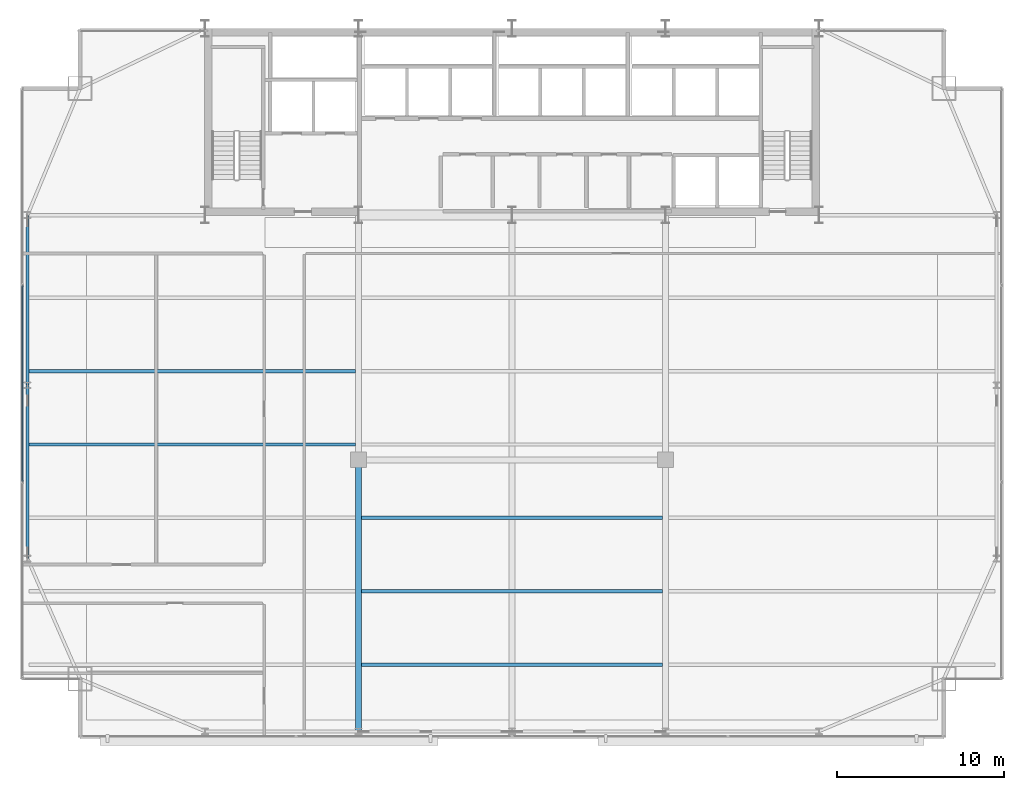
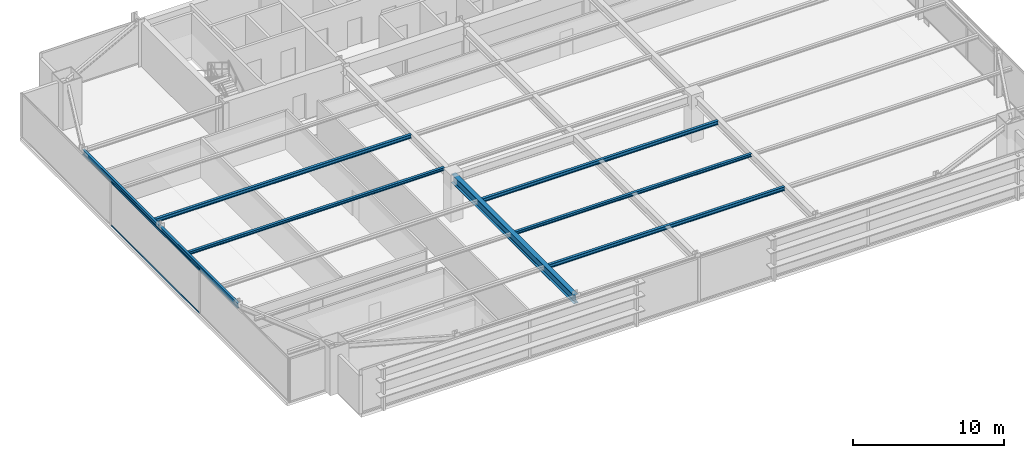
# One storey, part 9 of 32: 8 beams, 2 members, 1 element without a shape of its own.
"""IFC4 building model written with IfcOpenShell, lengths in metres."""

from ifc_helpers import new_model, si_unit, direction, frame, origin, origin_2d, place, context, subcontext, project, spatial, hollow_rectangle, i_section, extrude, source, transform, mapped, material, layer, layer_set, material_profile, profile_set, type_object, type_shapes, element, aggregate, save


model = new_model("IFC4")

# Units and contexts
model_context = context("Model", 3, precision=1e-05, world=origin(), true_north=direction((0.0, 1.0)))
body_context = subcontext(model_context, "Body", "Model", "MODEL_VIEW")
ifc_project = project(units=[si_unit("LENGTHUNIT", "METRE"), si_unit("AREAUNIT", "SQUARE_METRE"), si_unit("VOLUMEUNIT", "CUBIC_METRE"), si_unit("PLANEANGLEUNIT", "RADIAN"), si_unit("MASSUNIT", "GRAM", prefix="KILO")], contexts=[model_context])

# Site, building, storey
site_placement = place(None, origin())
site = spatial("IfcSite", under=ifc_project, at=site_placement, CompositionType="ELEMENT")
building_placement = place(site_placement, origin())
building = spatial("IfcBuilding", under=site, at=building_placement, Name="Varnel Quay Broadcast Tower", CompositionType="ELEMENT")
storey_placement = place(building_placement, frame((0.0, 0.0, 90.800048828125)))
storey = spatial("IfcBuildingStorey", under=building, at=storey_placement, Name="L21", CompositionType="ELEMENT", Elevation=90.800048828125)

# Beams
ifc_material_1 = material(Name="Structural Steel CSA G40.21 350W", Category="steel")
ifc_material_profile_1 = material_profile(ifc_material_1, i_section(OverallWidth=0.180908203125, OverallDepth=0.4169921875, WebThickness=0.010986328125, FlangeThickness=0.018310546875, FilletRadius=0.011962890625, at=origin_2d()), Name="W410X85")
ifc_profile_set_1 = profile_set([ifc_material_profile_1], Name="Structural Steel CSA G40.21 350W")
beam_type_1 = type_object("IfcBeamType", Name="Beam_W410X85", PredefinedType="SPANDREL", material=ifc_profile_set_1)
shared_shape_1 = source(origin(), body_context, "Body", "SweptSolid", [
    extrude(i_section(OverallWidth=0.180908203125, OverallDepth=0.4169921875, WebThickness=0.010986328125, FlangeThickness=0.018310546875, FilletRadius=0.011962890625, at=origin_2d()), origin(), (0.0, 0.0, 1.0), 10.35986328125),
])
beam_1_placement = place(storey_placement, frame((4.949951171875, 15.02001953125, 3.341552734375), z_axis=(0.0, 1.0, 0.0), x_axis=(-1.0, 0.0, 0.0)))
element("IfcBeam", 1, at=beam_1_placement, inside=storey, type_object=beam_type_1, Name="L21 West Spandrel TC-W1-TC-W2", PredefinedType="SPANDREL", context=body_context, shape_type="MappedRepresentation", body=[
    mapped(shared_shape_1, transform((0.0, 0.0, 0.0), x_axis=(1.0, 0.0, 0.0), y_axis=(0.0, 1.0, 0.0), z_axis=(0.0, 0.0, 1.0), scale=1.0)),
])
shared_shape_2 = source(origin(), body_context, "Body", "SweptSolid", [
    extrude(i_section(OverallWidth=0.180908203125, OverallDepth=0.4169921875, WebThickness=0.010986328125, FlangeThickness=0.018310546875, FilletRadius=0.011962890625, at=origin_2d()), origin(), (0.0, 0.0, 1.0), 10.16015625),
])
type_shapes(beam_type_1, [shared_shape_1, shared_shape_2])
beam_2_placement = place(storey_placement, frame((4.949951171875, 25.419921875, 3.341552734375), z_axis=(0.0, 1.0, 0.0), x_axis=(-1.0, 0.0, 0.0)))
element("IfcBeam", 2, at=beam_2_placement, inside=storey, type_object=beam_type_1, Name="L21 West Spandrel TC-W2-TC-W3", PredefinedType="SPANDREL", context=body_context, shape_type="MappedRepresentation", body=[
    mapped(shared_shape_2, transform((0.0, 0.0, 0.0), x_axis=(1.0, 0.0, 0.0), y_axis=(0.0, 1.0, 0.0), z_axis=(0.0, 0.0, 1.0), scale=1.0)),
])
ifc_material_profile_2 = material_profile(ifc_material_1, i_section(OverallWidth=0.35498046875, OverallDepth=0.695068359375, WebThickness=0.015380859375, FlangeThickness=0.02490234375, FilletRadius=0.01806640625, at=origin_2d()), Name="W690X217")
ifc_profile_set_2 = profile_set([ifc_material_profile_2], Name="Structural Steel CSA G40.21 350W")
beam_type_2 = type_object("IfcBeamType", Name="Girder_W690X217", PredefinedType="BEAM", material=ifc_profile_set_2)
shared_shape_3 = source(origin(), body_context, "Body", "SweptSolid", [
    extrude(i_section(OverallWidth=0.35498046875, OverallDepth=0.695068359375, WebThickness=0.015380859375, FlangeThickness=0.02490234375, FilletRadius=0.01806640625, at=origin_2d()), origin(), (0.0, 0.0, 1.0), 16.239990234375),
])
type_shapes(beam_type_2, [shared_shape_3])
beam_3_placement = place(storey_placement, frame((24.800048828125, 4.669921875, 3.202392578125), z_axis=(0.0, 1.0, 0.0), x_axis=(-1.0, 0.0, 0.0)))
element("IfcBeam", 3, at=beam_3_placement, inside=storey, type_object=beam_type_2, Name="L21 Primary Girder TC-S2-IC-01", PredefinedType="BEAM", context=body_context, shape_type="MappedRepresentation", body=[
    mapped(shared_shape_3, transform((0.0, 0.0, 0.0), x_axis=(1.0, 0.0, 0.0), y_axis=(0.0, 1.0, 0.0), z_axis=(0.0, 0.0, 1.0), scale=1.0)),
])
ifc_material_profile_3 = material_profile(ifc_material_1, i_section(OverallWidth=0.202880859375, OverallDepth=0.302978515625, WebThickness=0.007568359375, FlangeThickness=0.01318359375, FilletRadius=0.011962890625, at=origin_2d()), Name="W310X60")
ifc_profile_set_3 = profile_set([ifc_material_profile_3], Name="Structural Steel CSA G40.21 350W")
beam_type_3 = type_object("IfcBeamType", Name="Beam_W310X60", PredefinedType="JOIST", material=ifc_profile_set_3)
shared_shape_4 = source(origin(), body_context, "Body", "SweptSolid", [
    extrude(i_section(OverallWidth=0.202880859375, OverallDepth=0.302978515625, WebThickness=0.007568359375, FlangeThickness=0.01318359375, FilletRadius=0.011962890625, at=origin_2d()), origin(), (0.0, 0.0, 1.0), 19.592041015625),
])
beam_4_placement = place(storey_placement, frame((5.035400390625, 26.25, 3.3984375), z_axis=(1.0, 0.0, 0.0), x_axis=(0.0, 1.0, 0.0)))
element("IfcBeam", 4, at=beam_4_placement, inside=storey, type_object=beam_type_3, Name="L21 West Floor Joist 5", PredefinedType="JOIST", context=body_context, shape_type="MappedRepresentation", body=[
    mapped(shared_shape_4, transform((0.0, 0.0, 0.0), x_axis=(1.0, 0.0, 0.0), y_axis=(0.0, 1.0, 0.0), z_axis=(0.0, 0.0, 1.0), scale=1.0)),
])
shared_shape_5 = source(origin(), body_context, "Body", "SweptSolid", [
    extrude(i_section(OverallWidth=0.202880859375, OverallDepth=0.302978515625, WebThickness=0.007568359375, FlangeThickness=0.01318359375, FilletRadius=0.011962890625, at=origin_2d()), origin(), (0.0, 0.0, 1.0), 18.05517578125),
])
type_shapes(beam_type_3, [shared_shape_4, shared_shape_5])
for number, where, z_axis, x_axis, name in (
    (5, (24.972412109375, 8.64990234375, 3.3984375), (1.0, 0.0, 0.0), (0.0, 1.0, 0.0), "L21 Central Floor Joist 1"),
    (6, (24.972412109375, 17.449951171875, 3.3984375), (1.0, 0.0, 0.0), (0.0, 1.0, 0.0), "L21 Central Floor Joist 3"),
):
    element("IfcBeam", number, at=place(storey_placement, frame(where, z_axis=z_axis, x_axis=x_axis)), inside=storey, type_object=beam_type_3, Name=name, PredefinedType="JOIST", context=body_context, shape_type="MappedRepresentation", body=[
        mapped(shared_shape_5, transform((0.0, 0.0, 0.0), x_axis=(1.0, 0.0, 0.0), y_axis=(0.0, 1.0, 0.0), z_axis=(0.0, 0.0, 1.0), scale=1.0)),
    ])
ifc_material_profile_4 = material_profile(ifc_material_1, i_section(OverallWidth=0.201904296875, OverallDepth=0.2470703125, WebThickness=0.00732421875, FlangeThickness=0.010986328125, FilletRadius=0.010986328125, at=origin_2d()), Name="W250X49")
ifc_profile_set_4 = profile_set([ifc_material_profile_4], Name="Structural Steel CSA G40.21 350W")
beam_type_4 = type_object("IfcBeamType", Name="Beam_W250X49", PredefinedType="JOIST", material=ifc_profile_set_4)
shared_shape_6 = source(origin(), body_context, "Body", "SweptSolid", [
    extrude(i_section(OverallWidth=0.201904296875, OverallDepth=0.2470703125, WebThickness=0.00732421875, FlangeThickness=0.010986328125, FilletRadius=0.010986328125, at=origin_2d()), origin(), (0.0, 0.0, 1.0), 19.592041015625),
])
beam_5_placement = place(storey_placement, frame((5.035400390625, 21.85009765625, 3.426513671875), z_axis=(1.0, 0.0, 0.0), x_axis=(0.0, 1.0, 0.0)))
element("IfcBeam", 7, at=beam_5_placement, inside=storey, type_object=beam_type_4, Name="L21 West Floor Joist 4", PredefinedType="JOIST", context=body_context, shape_type="MappedRepresentation", body=[
    mapped(shared_shape_6, transform((0.0, 0.0, 0.0), x_axis=(1.0, 0.0, 0.0), y_axis=(0.0, 1.0, 0.0), z_axis=(0.0, 0.0, 1.0), scale=1.0)),
])
shared_shape_7 = source(origin(), body_context, "Body", "SweptSolid", [
    extrude(i_section(OverallWidth=0.201904296875, OverallDepth=0.2470703125, WebThickness=0.00732421875, FlangeThickness=0.010986328125, FilletRadius=0.010986328125, at=origin_2d()), origin(), (0.0, 0.0, 1.0), 18.05517578125),
])
type_shapes(beam_type_4, [shared_shape_6, shared_shape_7])
beam_6_placement = place(storey_placement, frame((24.972412109375, 13.050048828125, 3.426513671875), z_axis=(1.0, 0.0, 0.0), x_axis=(0.0, 1.0, 0.0)))
element("IfcBeam", 8, at=beam_6_placement, inside=storey, type_object=beam_type_4, Name="L21 Central Floor Joist 2", PredefinedType="JOIST", context=body_context, shape_type="MappedRepresentation", body=[
    mapped(shared_shape_7, transform((0.0, 0.0, 0.0), x_axis=(1.0, 0.0, 0.0), y_axis=(0.0, 1.0, 0.0), z_axis=(0.0, 0.0, 1.0), scale=1.0)),
])

# Curtain wall, members
ifc_material_2 = material(Name="Anodised Bronze Aluminium 6063-T6", Category="aluminium")
ifc_layer = layer(ifc_material_2, 0.18994140625, Name="Anodised Bronze Aluminium 6063-T6")
ifc_layer_set = layer_set([ifc_layer], Name="Anodised Bronze Aluminium 6063-T6")
curtain_wall_type = type_object("IfcCurtainWallType", Name="CW_LowerTower", PredefinedType="NOTDEFINED", material=ifc_layer_set)
curtain_wall_placement = place(storey_placement, origin())
curtain_wall = element("IfcCurtainWall", 9, at=curtain_wall_placement, inside=storey, type_object=curtain_wall_type, Name="L21 West Unitised Curtain Wall", PredefinedType="NOTDEFINED")
ifc_material_profile_5 = material_profile(ifc_material_2, hollow_rectangle(XDim=0.06005859375, YDim=0.14501953125, WallThickness=0.00341796875, at=origin_2d()), Name="ALU60X145X3.5")
ifc_profile_set_5 = profile_set([ifc_material_profile_5], Name="Anodised Bronze Aluminium 6063-T6")
member_type = type_object("IfcMemberType", Name="Tran_CWS-02", PredefinedType="USERDEFINED", material=ifc_profile_set_5)
shared_shape_8 = source(origin(), body_context, "Body", "SweptSolid", [
    extrude(hollow_rectangle(XDim=0.06005859375, YDim=0.14501953125, WallThickness=0.00341796875, at=origin_2d()), origin(), (0.0, 0.0, 1.0), 11.72998046875),
])
type_shapes(member_type, [shared_shape_8])
member_1_placement = place(storey_placement, frame((4.64990234375, 19.635009765625, 0.030029296875), z_axis=(0.0, 1.0, 0.0), x_axis=(-1.0, 0.0, 0.0)))
member_1 = element("IfcMember", 10, at=member_1_placement, type_object=member_type, Name="CWS-02 transom 2.1", ObjectType="TRANSOM", PredefinedType="USERDEFINED", context=body_context, shape_type="MappedRepresentation", body=[
    mapped(shared_shape_8, transform((0.0, 0.0, 0.0), x_axis=(1.0, 0.0, 0.0), y_axis=(0.0, 1.0, 0.0), z_axis=(0.0, 0.0, 1.0), scale=1.0)),
])
member_2_placement = place(storey_placement, frame((4.64990234375, 19.635009765625, 3.52001953125), z_axis=(0.0, 1.0, 0.0), x_axis=(-1.0, 0.0, 0.0)))
member_2 = element("IfcMember", 11, at=member_2_placement, type_object=member_type, Name="CWS-02 transom 2.2", ObjectType="TRANSOM", PredefinedType="USERDEFINED", context=body_context, shape_type="MappedRepresentation", body=[
    mapped(shared_shape_8, transform((0.0, 0.0, 0.0), x_axis=(1.0, 0.0, 0.0), y_axis=(0.0, 1.0, 0.0), z_axis=(0.0, 0.0, 1.0), scale=1.0)),
])
aggregate(curtain_wall, [member_1, member_2])

save(model, "model.ifc")
